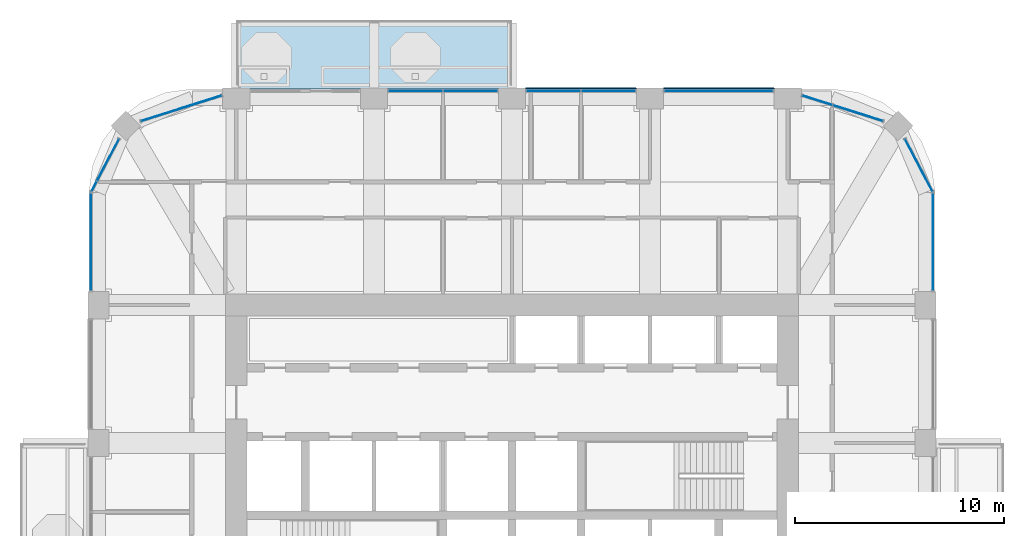
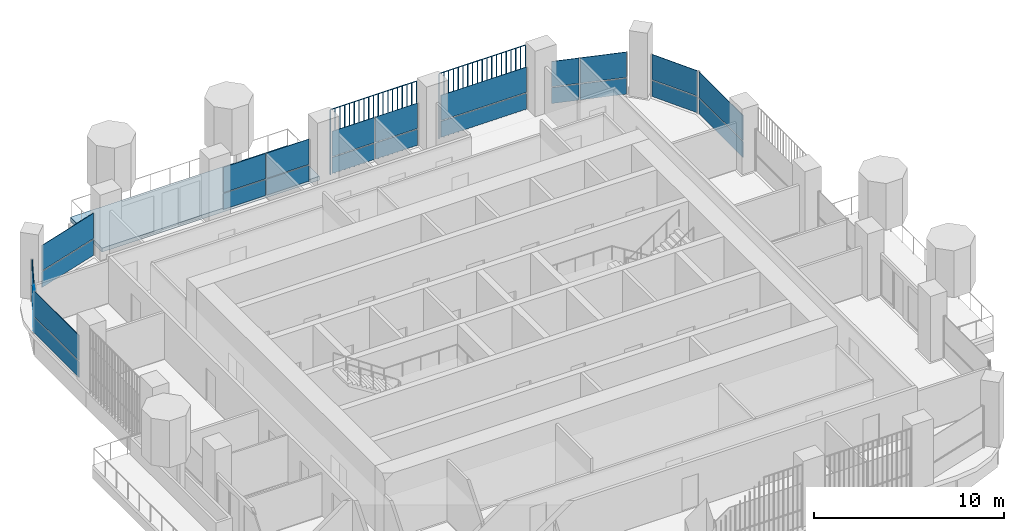
# One storey, part 11 of 20: 28 plates, 1 slab, 9 elements without a shape of their own.
"""IFC4 building model written with IfcOpenShell, lengths in metres."""

from ifc_helpers import new_model, si_unit, direction, frame, origin, origin_2d, place, context, subcontext, project, spatial, polyline, rectangle, outline, extrude, material, layer, layer_set, type_object, element, aggregate, save


model = new_model("IFC4")

# Units and contexts
model_context = context("Model", 3, precision=1e-05, world=origin(), true_north=direction((0.0, 1.0)))
body_context = subcontext(model_context, "Body", "Model", "MODEL_VIEW")
ifc_project = project(units=[si_unit("LENGTHUNIT", "METRE"), si_unit("AREAUNIT", "SQUARE_METRE"), si_unit("VOLUMEUNIT", "CUBIC_METRE"), si_unit("PLANEANGLEUNIT", "RADIAN"), si_unit("MASSUNIT", "GRAM", prefix="KILO")], contexts=[model_context])

# Site, building, storey
site_placement = place(None, origin())
site = spatial("IfcSite", under=ifc_project, at=site_placement, CompositionType="ELEMENT")
building_placement = place(site_placement, origin())
building = spatial("IfcBuilding", under=site, at=building_placement, Name="Cobogo Forest Laboratory Tower", CompositionType="ELEMENT")
storey_placement = place(building_placement, frame((0.0, 0.0, 246.0)))
storey = spatial("IfcBuildingStorey", under=building, at=storey_placement, Name="L56", CompositionType="ELEMENT", Elevation=246.0)

# Slab
ifc_material_1 = material(Name="Concrete HA-40 (C40/50)", Category="concrete")
ifc_layer_1 = layer(ifc_material_1, 0.25)
ifc_layer_set_1 = layer_set([ifc_layer_1], Name="Balcony slab 250")
slab_type = type_object("IfcSlabType", Name="Balcony slab 250", PredefinedType="FLOOR", material=ifc_layer_set_1)
slab_placement = place(storey_placement, frame((0.0, 0.0, -0.25)))
element("IfcSlab", 1, at=slab_placement, inside=storey, type_object=slab_type, Name="Balcony BAL-N1 L56", PredefinedType="FLOOR", context=body_context, shape_type="SweptSolid", body=[
    extrude(outline(polyline([(13.199951171875, 43.35009765625), (26.39990234375, 43.35009765625), (26.39990234375, 46.64990234375), (13.199951171875, 46.64990234375), (13.199951171875, 43.35009765625)])), origin(), (0.0, 0.0, 1.0), 0.25),
])

# Curtain wall, plates
ifc_material_2 = material(Name="Aluminium curtain wall", Category="aluminium")
curtain_wall_type = type_object("IfcCurtainWallType", Name="CW-2 unitised curtain wall, solar control glazing, laboratory floors zones C and D", PredefinedType="USERDEFINED", material=ifc_material_2)
curtain_wall_1_placement = place(storey_placement, origin())
curtain_wall_1 = element("IfcCurtainWall", 2, at=curtain_wall_1_placement, inside=storey, type_object=curtain_wall_type, Name="Curtain wall 11 L56", ObjectType="UNITISED CURTAIN WALL", PredefinedType="USERDEFINED")
ifc_material_3 = material(Name="Solar control insulated glass", Category="glass")
ifc_layer_2 = layer(ifc_material_3, 0.031982421875)
ifc_layer_set_2 = layer_set([ifc_layer_2], Name="GP-2 solar control glass unit 32")
plate_type_1 = type_object("IfcPlateType", Name="GP-2 solar control glass unit 32", PredefinedType="CURTAIN_PANEL", material=ifc_layer_set_2)
plate_1_placement = place(storey_placement, frame((46.550048828125, 36.02490234375, 0.0), z_axis=(0.0, 0.0, 1.0), x_axis=(0.0, 1.0, 0.0)))
plate_1 = element("IfcPlate", 3, at=plate_1_placement, type_object=plate_type_1, Name="CW-2 panel 1.1", PredefinedType="CURTAIN_PANEL", context=body_context, shape_type="SweptSolid", body=[
    extrude(rectangle(XDim=4.6298828125, YDim=0.031982421875, at=origin_2d()), origin(), (0.0, 0.0, 1.0), 1.02001953125),
])
plate_2_placement = place(storey_placement, frame((46.550048828125, 36.02490234375, 1.079833984375), z_axis=(0.0, 0.0, 1.0), x_axis=(0.0, 1.0, 0.0)))
plate_2 = element("IfcPlate", 4, at=plate_2_placement, type_object=plate_type_1, Name="CW-2 panel 1.2", PredefinedType="CURTAIN_PANEL", context=body_context, shape_type="SweptSolid", body=[
    extrude(rectangle(XDim=4.6298828125, YDim=0.031982421875, at=origin_2d()), origin(), (0.0, 0.0, 1.0), 1.6201171875),
])
aggregate(curtain_wall_1, [plate_1, plate_2])

curtain_wall_2_placement = place(storey_placement, origin())
curtain_wall_2 = element("IfcCurtainWall", 5, at=curtain_wall_2_placement, inside=storey, type_object=curtain_wall_type, Name="Curtain wall 12 L56", ObjectType="UNITISED CURTAIN WALL", PredefinedType="USERDEFINED")
plate_3_placement = place(storey_placement, frame((45.869140625, 39.69873046875, 0.0), z_axis=(0.0, 0.0, 1.0), x_axis=(-0.464283791352, 0.885686491422, 0.0)))
plate_3 = element("IfcPlate", 6, at=plate_3_placement, type_object=plate_type_1, Name="CW-2 panel 1.1", PredefinedType="CURTAIN_PANEL", context=body_context, shape_type="SweptSolid", body=[
    extrude(rectangle(XDim=2.812744140625, YDim=0.031982421875, at=origin_2d()), origin(), (0.0, 0.0, 1.0), 1.02001953125),
])
plate_4_placement = place(storey_placement, frame((45.869140625, 39.69873046875, 1.079833984375), z_axis=(0.0, 0.0, 1.0), x_axis=(-0.464283791352, 0.885686491422, 0.0)))
plate_4 = element("IfcPlate", 7, at=plate_4_placement, type_object=plate_type_1, Name="CW-2 panel 1.2", PredefinedType="CURTAIN_PANEL", context=body_context, shape_type="SweptSolid", body=[
    extrude(rectangle(XDim=2.812744140625, YDim=0.031982421875, at=origin_2d()), origin(), (0.0, 0.0, 1.0), 1.6201171875),
])
aggregate(curtain_wall_2, [plate_3, plate_4])

curtain_wall_3_placement = place(storey_placement, origin())
curtain_wall_3 = element("IfcCurtainWall", 8, at=curtain_wall_3_placement, inside=storey, type_object=curtain_wall_type, Name="Curtain wall 13 L56", ObjectType="UNITISED CURTAIN WALL", PredefinedType="USERDEFINED")
plate_5_placement = place(storey_placement, frame((42.962646484375, 42.18798828125, 0.0), z_axis=(0.0, 0.0, 1.0), x_axis=(-0.953581386052, 0.301135418334, 0.0)))
plate_5 = element("IfcPlate", 9, at=plate_5_placement, type_object=plate_type_1, Name="CW-2 panel 1.1", PredefinedType="CURTAIN_PANEL", context=body_context, shape_type="SweptSolid", body=[
    extrude(rectangle(XDim=2.4853515625, YDim=0.031982421875, at=origin_2d()), origin(), (0.0, 0.0, 1.0), 1.02001953125),
])
plate_6_placement = place(storey_placement, frame((42.962646484375, 42.18798828125, 1.079833984375), z_axis=(0.0, 0.0, 1.0), x_axis=(-0.953581386052, 0.301135418334, 0.0)))
plate_6 = element("IfcPlate", 10, at=plate_6_placement, type_object=plate_type_1, Name="CW-2 panel 1.2", PredefinedType="CURTAIN_PANEL", context=body_context, shape_type="SweptSolid", body=[
    extrude(rectangle(XDim=2.4853515625, YDim=0.031982421875, at=origin_2d()), origin(), (0.0, 0.0, 1.0), 1.6201171875),
])
plate_7_placement = place(storey_placement, frame((41.013916015625, 42.803466796875, 0.0), z_axis=(0.0, 0.0, 1.0), x_axis=(-0.953581386052, 0.301135418334, 0.0)))
plate_7 = element("IfcPlate", 11, at=plate_7_placement, type_object=plate_type_1, Name="CW-2 panel 2.1", PredefinedType="CURTAIN_PANEL", context=body_context, shape_type="SweptSolid", body=[
    extrude(rectangle(XDim=1.482177734375, YDim=0.031982421875, at=origin_2d()), origin(), (0.0, 0.0, 1.0), 1.02001953125),
])
plate_8_placement = place(storey_placement, frame((41.013916015625, 42.803466796875, 1.079833984375), z_axis=(0.0, 0.0, 1.0), x_axis=(-0.953581386052, 0.301135418334, 0.0)))
plate_8 = element("IfcPlate", 12, at=plate_8_placement, type_object=plate_type_1, Name="CW-2 panel 2.2", PredefinedType="CURTAIN_PANEL", context=body_context, shape_type="SweptSolid", body=[
    extrude(rectangle(XDim=1.482177734375, YDim=0.031982421875, at=origin_2d()), origin(), (0.0, 0.0, 1.0), 1.6201171875),
])
aggregate(curtain_wall_3, [plate_5, plate_6, plate_7, plate_8])

curtain_wall_4_placement = place(storey_placement, origin())
curtain_wall_4 = element("IfcCurtainWall", 13, at=curtain_wall_4_placement, inside=storey, type_object=curtain_wall_type, Name="Curtain wall 14 L56", ObjectType="UNITISED CURTAIN WALL", PredefinedType="USERDEFINED")
plate_9_placement = place(storey_placement, frame((36.300048828125, 43.25, 0.0), z_axis=(0.0, 0.0, 1.0), x_axis=(-1.0, 0.0, 0.0)))
plate_9 = element("IfcPlate", 14, at=plate_9_placement, type_object=plate_type_1, Name="CW-2 panel 1.1", PredefinedType="CURTAIN_PANEL", context=body_context, shape_type="SweptSolid", body=[
    extrude(rectangle(XDim=5.179931640625, YDim=0.031982421875, at=origin_2d()), origin(), (0.0, 0.0, 1.0), 1.02001953125),
])
plate_10_placement = place(storey_placement, frame((36.300048828125, 43.25, 1.079833984375), z_axis=(0.0, 0.0, 1.0), x_axis=(-1.0, 0.0, 0.0)))
plate_10 = element("IfcPlate", 15, at=plate_10_placement, type_object=plate_type_1, Name="CW-2 panel 1.2", PredefinedType="CURTAIN_PANEL", context=body_context, shape_type="SweptSolid", body=[
    extrude(rectangle(XDim=5.179931640625, YDim=0.031982421875, at=origin_2d()), origin(), (0.0, 0.0, 1.0), 1.6201171875),
])
aggregate(curtain_wall_4, [plate_9, plate_10])

curtain_wall_5_placement = place(storey_placement, origin())
curtain_wall_5 = element("IfcCurtainWall", 16, at=curtain_wall_5_placement, inside=storey, type_object=curtain_wall_type, Name="Curtain wall 15 L56", ObjectType="UNITISED CURTAIN WALL", PredefinedType="USERDEFINED")
plate_11_placement = place(storey_placement, frame((31.010009765625, 43.25, 0.0), z_axis=(0.0, 0.0, 1.0), x_axis=(-1.0, 0.0, 0.0)))
plate_11 = element("IfcPlate", 17, at=plate_11_placement, type_object=plate_type_1, Name="CW-2 panel 1.1", PredefinedType="CURTAIN_PANEL", context=body_context, shape_type="SweptSolid", body=[
    extrude(rectangle(XDim=2.56005859375, YDim=0.031982421875, at=origin_2d()), origin(), (0.0, 0.0, 1.0), 1.02001953125),
])
plate_12_placement = place(storey_placement, frame((31.010009765625, 43.25, 1.079833984375), z_axis=(0.0, 0.0, 1.0), x_axis=(-1.0, 0.0, 0.0)))
plate_12 = element("IfcPlate", 18, at=plate_12_placement, type_object=plate_type_1, Name="CW-2 panel 1.2", PredefinedType="CURTAIN_PANEL", context=body_context, shape_type="SweptSolid", body=[
    extrude(rectangle(XDim=2.56005859375, YDim=0.031982421875, at=origin_2d()), origin(), (0.0, 0.0, 1.0), 1.6201171875),
])
plate_13_placement = place(storey_placement, frame((28.389892578125, 43.25, 0.0), z_axis=(0.0, 0.0, 1.0), x_axis=(-1.0, 0.0, 0.0)))
plate_13 = element("IfcPlate", 19, at=plate_13_placement, type_object=plate_type_1, Name="CW-2 panel 2.1", PredefinedType="CURTAIN_PANEL", context=body_context, shape_type="SweptSolid", body=[
    extrude(rectangle(XDim=2.56005859375, YDim=0.031982421875, at=origin_2d()), origin(), (0.0, 0.0, 1.0), 1.02001953125),
])
plate_14_placement = place(storey_placement, frame((28.389892578125, 43.25, 1.079833984375), z_axis=(0.0, 0.0, 1.0), x_axis=(-1.0, 0.0, 0.0)))
plate_14 = element("IfcPlate", 20, at=plate_14_placement, type_object=plate_type_1, Name="CW-2 panel 2.2", PredefinedType="CURTAIN_PANEL", context=body_context, shape_type="SweptSolid", body=[
    extrude(rectangle(XDim=2.56005859375, YDim=0.031982421875, at=origin_2d()), origin(), (0.0, 0.0, 1.0), 1.6201171875),
])
aggregate(curtain_wall_5, [plate_11, plate_12, plate_13, plate_14])

curtain_wall_6_placement = place(storey_placement, origin())
curtain_wall_6 = element("IfcCurtainWall", 21, at=curtain_wall_6_placement, inside=storey, type_object=curtain_wall_type, Name="Curtain wall 16 L56", ObjectType="UNITISED CURTAIN WALL", PredefinedType="USERDEFINED")
plate_15_placement = place(storey_placement, frame((24.409912109375, 43.25, 0.0), z_axis=(0.0, 0.0, 1.0), x_axis=(-1.0, 0.0, 0.0)))
plate_15 = element("IfcPlate", 22, at=plate_15_placement, type_object=plate_type_1, Name="CW-2 panel 1.1", PredefinedType="CURTAIN_PANEL", context=body_context, shape_type="SweptSolid", body=[
    extrude(rectangle(XDim=2.56005859375, YDim=0.031982421875, at=origin_2d()), origin(), (0.0, 0.0, 1.0), 1.02001953125),
])
plate_16_placement = place(storey_placement, frame((24.409912109375, 43.25, 1.079833984375), z_axis=(0.0, 0.0, 1.0), x_axis=(-1.0, 0.0, 0.0)))
plate_16 = element("IfcPlate", 23, at=plate_16_placement, type_object=plate_type_1, Name="CW-2 panel 1.2", PredefinedType="CURTAIN_PANEL", context=body_context, shape_type="SweptSolid", body=[
    extrude(rectangle(XDim=2.56005859375, YDim=0.031982421875, at=origin_2d()), origin(), (0.0, 0.0, 1.0), 1.6201171875),
])
plate_17_placement = place(storey_placement, frame((21.7900390625, 43.25, 0.0), z_axis=(0.0, 0.0, 1.0), x_axis=(-1.0, 0.0, 0.0)))
plate_17 = element("IfcPlate", 24, at=plate_17_placement, type_object=plate_type_1, Name="CW-2 panel 2.1", PredefinedType="CURTAIN_PANEL", context=body_context, shape_type="SweptSolid", body=[
    extrude(rectangle(XDim=2.56005859375, YDim=0.031982421875, at=origin_2d()), origin(), (0.0, 0.0, 1.0), 1.02001953125),
])
plate_18_placement = place(storey_placement, frame((21.7900390625, 43.25, 1.079833984375), z_axis=(0.0, 0.0, 1.0), x_axis=(-1.0, 0.0, 0.0)))
plate_18 = element("IfcPlate", 25, at=plate_18_placement, type_object=plate_type_1, Name="CW-2 panel 2.2", PredefinedType="CURTAIN_PANEL", context=body_context, shape_type="SweptSolid", body=[
    extrude(rectangle(XDim=2.56005859375, YDim=0.031982421875, at=origin_2d()), origin(), (0.0, 0.0, 1.0), 1.6201171875),
])
aggregate(curtain_wall_6, [plate_15, plate_16, plate_17, plate_18])

curtain_wall_7_placement = place(storey_placement, origin())
curtain_wall_7 = element("IfcCurtainWall", 26, at=curtain_wall_7_placement, inside=storey, type_object=curtain_wall_type, Name="Curtain wall 18 L56", ObjectType="UNITISED CURTAIN WALL", PredefinedType="USERDEFINED")
plate_19_placement = place(storey_placement, frame((10.572509765625, 42.420166015625, 0.0), z_axis=(0.0, 0.0, 1.0), x_axis=(-0.953581386052, -0.301135418334, 0.0)))
plate_19 = element("IfcPlate", 27, at=plate_19_placement, type_object=plate_type_1, Name="CW-2 panel 1.1", PredefinedType="CURTAIN_PANEL", context=body_context, shape_type="SweptSolid", body=[
    extrude(rectangle(XDim=4.02734375, YDim=0.031982421875, at=origin_2d()), origin(), (0.0, 0.0, 1.0), 1.02001953125),
])
plate_20_placement = place(storey_placement, frame((10.572509765625, 42.420166015625, 1.079833984375), z_axis=(0.0, 0.0, 1.0), x_axis=(-0.953581386052, -0.301135418334, 0.0)))
plate_20 = element("IfcPlate", 28, at=plate_20_placement, type_object=plate_type_1, Name="CW-2 panel 1.2", PredefinedType="CURTAIN_PANEL", context=body_context, shape_type="SweptSolid", body=[
    extrude(rectangle(XDim=4.02734375, YDim=0.031982421875, at=origin_2d()), origin(), (0.0, 0.0, 1.0), 1.6201171875),
])
aggregate(curtain_wall_7, [plate_19, plate_20])

curtain_wall_8_placement = place(storey_placement, origin())
curtain_wall_8 = element("IfcCurtainWall", 29, at=curtain_wall_8_placement, inside=storey, type_object=curtain_wall_type, Name="Curtain wall 19 L56", ObjectType="UNITISED CURTAIN WALL", PredefinedType="USERDEFINED")
plate_21_placement = place(storey_placement, frame((7.064697265625, 39.9541015625, 0.0), z_axis=(0.0, 0.0, 1.0), x_axis=(-0.464283791352, -0.885686491422, 0.0)))
plate_21 = element("IfcPlate", 30, at=plate_21_placement, type_object=plate_type_1, Name="CW-2 panel 1.1", PredefinedType="CURTAIN_PANEL", context=body_context, shape_type="SweptSolid", body=[
    extrude(rectangle(XDim=2.236328125, YDim=0.031982421875, at=origin_2d()), origin(), (0.0, 0.0, 1.0), 1.02001953125),
])
plate_22_placement = place(storey_placement, frame((7.064697265625, 39.9541015625, 1.079833984375), z_axis=(0.0, 0.0, 1.0), x_axis=(-0.464283791352, -0.885686491422, 0.0)))
plate_22 = element("IfcPlate", 31, at=plate_22_placement, type_object=plate_type_1, Name="CW-2 panel 1.2", PredefinedType="CURTAIN_PANEL", context=body_context, shape_type="SweptSolid", body=[
    extrude(rectangle(XDim=2.236328125, YDim=0.031982421875, at=origin_2d()), origin(), (0.0, 0.0, 1.0), 1.6201171875),
])
plate_23_placement = place(storey_placement, frame((6.397705078125, 38.681884765625, 0.0), z_axis=(0.0, 0.0, 1.0), x_axis=(-0.464283791352, -0.885686491422, 0.0)))
plate_23 = element("IfcPlate", 32, at=plate_23_placement, type_object=plate_type_1, Name="CW-2 panel 2.1", PredefinedType="CURTAIN_PANEL", context=body_context, shape_type="SweptSolid", body=[
    extrude(rectangle(XDim=0.516357421875, YDim=0.031982421875, at=origin_2d()), origin(), (0.0, 0.0, 1.0), 1.02001953125),
])
plate_24_placement = place(storey_placement, frame((6.397705078125, 38.681884765625, 1.079833984375), z_axis=(0.0, 0.0, 1.0), x_axis=(-0.464283791352, -0.885686491422, 0.0)))
plate_24 = element("IfcPlate", 33, at=plate_24_placement, type_object=plate_type_1, Name="CW-2 panel 2.2", PredefinedType="CURTAIN_PANEL", context=body_context, shape_type="SweptSolid", body=[
    extrude(rectangle(XDim=0.516357421875, YDim=0.031982421875, at=origin_2d()), origin(), (0.0, 0.0, 1.0), 1.6201171875),
])
aggregate(curtain_wall_8, [plate_21, plate_22, plate_23, plate_24])

curtain_wall_9_placement = place(storey_placement, origin())
curtain_wall_9 = element("IfcCurtainWall", 34, at=curtain_wall_9_placement, inside=storey, type_object=curtain_wall_type, Name="Curtain wall 20 L56", ObjectType="UNITISED CURTAIN WALL", PredefinedType="USERDEFINED")
plate_25_placement = place(storey_placement, frame((6.25, 36.02490234375, 0.0), z_axis=(0.0, 0.0, 1.0), x_axis=(0.0, -1.0, 0.0)))
plate_25 = element("IfcPlate", 35, at=plate_25_placement, type_object=plate_type_1, Name="CW-2 panel 1.1", PredefinedType="CURTAIN_PANEL", context=body_context, shape_type="SweptSolid", body=[
    extrude(rectangle(XDim=4.6298828125, YDim=0.031982421875, at=origin_2d()), origin(), (0.0, 0.0, 1.0), 1.02001953125),
])
plate_26_placement = place(storey_placement, frame((6.25, 36.02490234375, 1.079833984375), z_axis=(0.0, 0.0, 1.0), x_axis=(0.0, -1.0, 0.0)))
plate_26 = element("IfcPlate", 36, at=plate_26_placement, type_object=plate_type_1, Name="CW-2 panel 1.2", PredefinedType="CURTAIN_PANEL", context=body_context, shape_type="SweptSolid", body=[
    extrude(rectangle(XDim=4.6298828125, YDim=0.031982421875, at=origin_2d()), origin(), (0.0, 0.0, 1.0), 1.6201171875),
])
aggregate(curtain_wall_9, [plate_25, plate_26])

# Plates
ifc_material_4 = material(Name="Terracotta", Category="masonry")
plate_type_2 = type_object("IfcPlateType", Name="TB1 terracotta baguette screen", PredefinedType="USERDEFINED", material=ifc_material_4)
plate_27_placement = place(storey_placement, frame((27.081298828125, 43.3779296875, -0.14990234375)))
element("IfcPlate", 37, at=plate_27_placement, inside=storey, type_object=plate_type_2, Name="Baguette screen N3 L56", ObjectType="BAGUETTE SCREEN", PredefinedType="USERDEFINED", context=body_context, shape_type="SweptSolid", body=[
    extrude(outline(polyline([(0.02880859375, 0.011962890625), (0.011962890625, 0.02880859375), (-0.011962890625, 0.02880859375), (-0.02880859375, 0.011962890625), (-0.02880859375, -0.011962890625), (-0.011962890625, -0.02880859375), (0.011962890625, -0.02880859375), (0.02880859375, -0.011962890625), (0.02880859375, 0.011962890625)])), frame((0.0, 0.0, 4.168701171875), z_axis=(1.0, 0.0, 0.0), x_axis=(0.0, 1.0, 0.0)), (0.0, 0.0, 1.0), 5.237548828125),
    extrude(outline(polyline([(0.02880859375, 0.011962890625), (0.011962890625, 0.02880859375), (-0.011962890625, 0.02880859375), (-0.02880859375, 0.011962890625), (-0.02880859375, -0.011962890625), (-0.011962890625, -0.02880859375), (0.011962890625, -0.02880859375), (0.02880859375, -0.011962890625), (0.02880859375, 0.011962890625)])), origin(), (0.0, 0.0, 1.0), 4.137451171875),
    extrude(outline(polyline([(0.02880859375, 0.011962890625), (0.011962890625, 0.02880859375), (-0.011962890625, 0.02880859375), (-0.02880859375, 0.011962890625), (-0.02880859375, -0.011962890625), (-0.011962890625, -0.02880859375), (0.011962890625, -0.02880859375), (0.02880859375, -0.011962890625), (0.02880859375, 0.011962890625)])), frame((0.291015625, 0.0, 0.0)), (0.0, 0.0, 1.0), 4.137451171875),
    extrude(outline(polyline([(0.02880859375, 0.011962890625), (0.011962890625, 0.02880859375), (-0.011962890625, 0.02880859375), (-0.02880859375, 0.011962890625), (-0.02880859375, -0.011962890625), (-0.011962890625, -0.02880859375), (0.011962890625, -0.02880859375), (0.02880859375, -0.011962890625), (0.02880859375, 0.011962890625)])), frame((0.58203125, 0.0, 0.0)), (0.0, 0.0, 1.0), 4.137451171875),
    extrude(outline(polyline([(0.02880859375, 0.011962890625), (0.011962890625, 0.02880859375), (-0.011962890625, 0.02880859375), (-0.02880859375, 0.011962890625), (-0.02880859375, -0.011962890625), (-0.011962890625, -0.02880859375), (0.011962890625, -0.02880859375), (0.02880859375, -0.011962890625), (0.02880859375, 0.011962890625)])), frame((0.873046875, 0.0, 0.0)), (0.0, 0.0, 1.0), 4.137451171875),
    extrude(outline(polyline([(0.02880859375, 0.011962890625), (0.011962890625, 0.02880859375), (-0.011962890625, 0.02880859375), (-0.02880859375, 0.011962890625), (-0.02880859375, -0.011962890625), (-0.011962890625, -0.02880859375), (0.011962890625, -0.02880859375), (0.02880859375, -0.011962890625), (0.02880859375, 0.011962890625)])), frame((1.163818359375, 0.0, 0.0)), (0.0, 0.0, 1.0), 4.137451171875),
    extrude(outline(polyline([(0.02880859375, 0.011962890625), (0.011962890625, 0.02880859375), (-0.011962890625, 0.02880859375), (-0.02880859375, 0.011962890625), (-0.02880859375, -0.011962890625), (-0.011962890625, -0.02880859375), (0.011962890625, -0.02880859375), (0.02880859375, -0.011962890625), (0.02880859375, 0.011962890625)])), frame((1.454833984375, 0.0, 0.0)), (0.0, 0.0, 1.0), 4.137451171875),
    extrude(outline(polyline([(0.02880859375, 0.011962890625), (0.011962890625, 0.02880859375), (-0.011962890625, 0.02880859375), (-0.02880859375, 0.011962890625), (-0.02880859375, -0.011962890625), (-0.011962890625, -0.02880859375), (0.011962890625, -0.02880859375), (0.02880859375, -0.011962890625), (0.02880859375, 0.011962890625)])), frame((1.745849609375, 0.0, 0.0)), (0.0, 0.0, 1.0), 4.137451171875),
    extrude(outline(polyline([(0.02880859375, 0.011962890625), (0.011962890625, 0.02880859375), (-0.011962890625, 0.02880859375), (-0.02880859375, 0.011962890625), (-0.02880859375, -0.011962890625), (-0.011962890625, -0.02880859375), (0.011962890625, -0.02880859375), (0.02880859375, -0.011962890625), (0.02880859375, 0.011962890625)])), frame((2.036865234375, 0.0, 0.0)), (0.0, 0.0, 1.0), 4.137451171875),
    extrude(outline(polyline([(0.02880859375, 0.011962890625), (0.011962890625, 0.02880859375), (-0.011962890625, 0.02880859375), (-0.02880859375, 0.011962890625), (-0.02880859375, -0.011962890625), (-0.011962890625, -0.02880859375), (0.011962890625, -0.02880859375), (0.02880859375, -0.011962890625), (0.02880859375, 0.011962890625)])), frame((2.327880859375, 0.0, 0.0)), (0.0, 0.0, 1.0), 4.137451171875),
    extrude(outline(polyline([(0.02880859375, 0.011962890625), (0.011962890625, 0.02880859375), (-0.011962890625, 0.02880859375), (-0.02880859375, 0.011962890625), (-0.02880859375, -0.011962890625), (-0.011962890625, -0.02880859375), (0.011962890625, -0.02880859375), (0.02880859375, -0.011962890625), (0.02880859375, 0.011962890625)])), frame((2.61865234375, 0.0, 0.0)), (0.0, 0.0, 1.0), 4.137451171875),
    extrude(outline(polyline([(0.02880859375, 0.011962890625), (0.011962890625, 0.02880859375), (-0.011962890625, 0.02880859375), (-0.02880859375, 0.011962890625), (-0.02880859375, -0.011962890625), (-0.011962890625, -0.02880859375), (0.011962890625, -0.02880859375), (0.02880859375, -0.011962890625), (0.02880859375, 0.011962890625)])), frame((2.90966796875, 0.0, 0.0)), (0.0, 0.0, 1.0), 4.137451171875),
    extrude(outline(polyline([(0.02880859375, 0.011962890625), (0.011962890625, 0.02880859375), (-0.011962890625, 0.02880859375), (-0.02880859375, 0.011962890625), (-0.02880859375, -0.011962890625), (-0.011962890625, -0.02880859375), (0.011962890625, -0.02880859375), (0.02880859375, -0.011962890625), (0.02880859375, 0.011962890625)])), frame((3.20068359375, 0.0, 0.0)), (0.0, 0.0, 1.0), 4.137451171875),
    extrude(outline(polyline([(0.02880859375, 0.011962890625), (0.011962890625, 0.02880859375), (-0.011962890625, 0.02880859375), (-0.02880859375, 0.011962890625), (-0.02880859375, -0.011962890625), (-0.011962890625, -0.02880859375), (0.011962890625, -0.02880859375), (0.02880859375, -0.011962890625), (0.02880859375, 0.011962890625)])), frame((3.49169921875, 0.0, 0.0)), (0.0, 0.0, 1.0), 4.137451171875),
    extrude(outline(polyline([(0.02880859375, 0.011962890625), (0.011962890625, 0.02880859375), (-0.011962890625, 0.02880859375), (-0.02880859375, 0.011962890625), (-0.02880859375, -0.011962890625), (-0.011962890625, -0.02880859375), (0.011962890625, -0.02880859375), (0.02880859375, -0.011962890625), (0.02880859375, 0.011962890625)])), frame((3.78271484375, 0.0, 0.0)), (0.0, 0.0, 1.0), 4.137451171875),
    extrude(outline(polyline([(0.02880859375, 0.011962890625), (0.011962890625, 0.02880859375), (-0.011962890625, 0.02880859375), (-0.02880859375, 0.011962890625), (-0.02880859375, -0.011962890625), (-0.011962890625, -0.02880859375), (0.011962890625, -0.02880859375), (0.02880859375, -0.011962890625), (0.02880859375, 0.011962890625)])), frame((4.07373046875, 0.0, 0.0)), (0.0, 0.0, 1.0), 4.137451171875),
    extrude(outline(polyline([(0.02880859375, 0.011962890625), (0.011962890625, 0.02880859375), (-0.011962890625, 0.02880859375), (-0.02880859375, 0.011962890625), (-0.02880859375, -0.011962890625), (-0.011962890625, -0.02880859375), (0.011962890625, -0.02880859375), (0.02880859375, -0.011962890625), (0.02880859375, 0.011962890625)])), frame((4.36474609375, 0.0, 0.0)), (0.0, 0.0, 1.0), 4.137451171875),
    extrude(outline(polyline([(0.02880859375, 0.011962890625), (0.011962890625, 0.02880859375), (-0.011962890625, 0.02880859375), (-0.02880859375, 0.011962890625), (-0.02880859375, -0.011962890625), (-0.011962890625, -0.02880859375), (0.011962890625, -0.02880859375), (0.02880859375, -0.011962890625), (0.02880859375, 0.011962890625)])), frame((4.655517578125, 0.0, 0.0)), (0.0, 0.0, 1.0), 4.137451171875),
    extrude(outline(polyline([(0.02880859375, 0.011962890625), (0.011962890625, 0.02880859375), (-0.011962890625, 0.02880859375), (-0.02880859375, 0.011962890625), (-0.02880859375, -0.011962890625), (-0.011962890625, -0.02880859375), (0.011962890625, -0.02880859375), (0.02880859375, -0.011962890625), (0.02880859375, 0.011962890625)])), frame((4.946533203125, 0.0, 0.0)), (0.0, 0.0, 1.0), 4.137451171875),
    extrude(outline(polyline([(0.02880859375, 0.011962890625), (0.011962890625, 0.02880859375), (-0.011962890625, 0.02880859375), (-0.02880859375, 0.011962890625), (-0.02880859375, -0.011962890625), (-0.011962890625, -0.02880859375), (0.011962890625, -0.02880859375), (0.02880859375, -0.011962890625), (0.02880859375, 0.011962890625)])), frame((5.237548828125, 0.0, 0.0)), (0.0, 0.0, 1.0), 4.137451171875),
])
plate_28_placement = place(storey_placement, frame((33.68115234375, 43.3779296875, -0.14990234375)))
element("IfcPlate", 38, at=plate_28_placement, inside=storey, type_object=plate_type_2, Name="Baguette screen N4 L56", ObjectType="BAGUETTE SCREEN", PredefinedType="USERDEFINED", context=body_context, shape_type="SweptSolid", body=[
    extrude(outline(polyline([(0.02880859375, 0.011962890625), (0.011962890625, 0.02880859375), (-0.011962890625, 0.02880859375), (-0.02880859375, 0.011962890625), (-0.02880859375, -0.011962890625), (-0.011962890625, -0.02880859375), (0.011962890625, -0.02880859375), (0.02880859375, -0.011962890625), (0.02880859375, 0.011962890625)])), frame((0.0, 0.0, 4.168701171875), z_axis=(1.0, 0.0, 0.0), x_axis=(0.0, 1.0, 0.0)), (0.0, 0.0, 1.0), 5.237548828125),
    extrude(outline(polyline([(0.02880859375, 0.011962890625), (0.011962890625, 0.02880859375), (-0.011962890625, 0.02880859375), (-0.02880859375, 0.011962890625), (-0.02880859375, -0.011962890625), (-0.011962890625, -0.02880859375), (0.011962890625, -0.02880859375), (0.02880859375, -0.011962890625), (0.02880859375, 0.011962890625)])), origin(), (0.0, 0.0, 1.0), 4.137451171875),
    extrude(outline(polyline([(0.02880859375, 0.011962890625), (0.011962890625, 0.02880859375), (-0.011962890625, 0.02880859375), (-0.02880859375, 0.011962890625), (-0.02880859375, -0.011962890625), (-0.011962890625, -0.02880859375), (0.011962890625, -0.02880859375), (0.02880859375, -0.011962890625), (0.02880859375, 0.011962890625)])), frame((0.291015625, 0.0, 0.0)), (0.0, 0.0, 1.0), 4.137451171875),
    extrude(outline(polyline([(0.02880859375, 0.011962890625), (0.011962890625, 0.02880859375), (-0.011962890625, 0.02880859375), (-0.02880859375, 0.011962890625), (-0.02880859375, -0.011962890625), (-0.011962890625, -0.02880859375), (0.011962890625, -0.02880859375), (0.02880859375, -0.011962890625), (0.02880859375, 0.011962890625)])), frame((0.58203125, 0.0, 0.0)), (0.0, 0.0, 1.0), 4.137451171875),
    extrude(outline(polyline([(0.02880859375, 0.011962890625), (0.011962890625, 0.02880859375), (-0.011962890625, 0.02880859375), (-0.02880859375, 0.011962890625), (-0.02880859375, -0.011962890625), (-0.011962890625, -0.02880859375), (0.011962890625, -0.02880859375), (0.02880859375, -0.011962890625), (0.02880859375, 0.011962890625)])), frame((0.873046875, 0.0, 0.0)), (0.0, 0.0, 1.0), 4.137451171875),
    extrude(outline(polyline([(0.02880859375, 0.011962890625), (0.011962890625, 0.02880859375), (-0.011962890625, 0.02880859375), (-0.02880859375, 0.011962890625), (-0.02880859375, -0.011962890625), (-0.011962890625, -0.02880859375), (0.011962890625, -0.02880859375), (0.02880859375, -0.011962890625), (0.02880859375, 0.011962890625)])), frame((1.163818359375, 0.0, 0.0)), (0.0, 0.0, 1.0), 4.137451171875),
    extrude(outline(polyline([(0.02880859375, 0.011962890625), (0.011962890625, 0.02880859375), (-0.011962890625, 0.02880859375), (-0.02880859375, 0.011962890625), (-0.02880859375, -0.011962890625), (-0.011962890625, -0.02880859375), (0.011962890625, -0.02880859375), (0.02880859375, -0.011962890625), (0.02880859375, 0.011962890625)])), frame((1.454833984375, 0.0, 0.0)), (0.0, 0.0, 1.0), 4.137451171875),
    extrude(outline(polyline([(0.02880859375, 0.011962890625), (0.011962890625, 0.02880859375), (-0.011962890625, 0.02880859375), (-0.02880859375, 0.011962890625), (-0.02880859375, -0.011962890625), (-0.011962890625, -0.02880859375), (0.011962890625, -0.02880859375), (0.02880859375, -0.011962890625), (0.02880859375, 0.011962890625)])), frame((1.745849609375, 0.0, 0.0)), (0.0, 0.0, 1.0), 4.137451171875),
    extrude(outline(polyline([(0.02880859375, 0.011962890625), (0.011962890625, 0.02880859375), (-0.011962890625, 0.02880859375), (-0.02880859375, 0.011962890625), (-0.02880859375, -0.011962890625), (-0.011962890625, -0.02880859375), (0.011962890625, -0.02880859375), (0.02880859375, -0.011962890625), (0.02880859375, 0.011962890625)])), frame((2.036865234375, 0.0, 0.0)), (0.0, 0.0, 1.0), 4.137451171875),
    extrude(outline(polyline([(0.02880859375, 0.011962890625), (0.011962890625, 0.02880859375), (-0.011962890625, 0.02880859375), (-0.02880859375, 0.011962890625), (-0.02880859375, -0.011962890625), (-0.011962890625, -0.02880859375), (0.011962890625, -0.02880859375), (0.02880859375, -0.011962890625), (0.02880859375, 0.011962890625)])), frame((2.327880859375, 0.0, 0.0)), (0.0, 0.0, 1.0), 4.137451171875),
    extrude(outline(polyline([(0.02880859375, 0.011962890625), (0.011962890625, 0.02880859375), (-0.011962890625, 0.02880859375), (-0.02880859375, 0.011962890625), (-0.02880859375, -0.011962890625), (-0.011962890625, -0.02880859375), (0.011962890625, -0.02880859375), (0.02880859375, -0.011962890625), (0.02880859375, 0.011962890625)])), frame((2.61865234375, 0.0, 0.0)), (0.0, 0.0, 1.0), 4.137451171875),
    extrude(outline(polyline([(0.02880859375, 0.011962890625), (0.011962890625, 0.02880859375), (-0.011962890625, 0.02880859375), (-0.02880859375, 0.011962890625), (-0.02880859375, -0.011962890625), (-0.011962890625, -0.02880859375), (0.011962890625, -0.02880859375), (0.02880859375, -0.011962890625), (0.02880859375, 0.011962890625)])), frame((2.90966796875, 0.0, 0.0)), (0.0, 0.0, 1.0), 4.137451171875),
    extrude(outline(polyline([(0.02880859375, 0.011962890625), (0.011962890625, 0.02880859375), (-0.011962890625, 0.02880859375), (-0.02880859375, 0.011962890625), (-0.02880859375, -0.011962890625), (-0.011962890625, -0.02880859375), (0.011962890625, -0.02880859375), (0.02880859375, -0.011962890625), (0.02880859375, 0.011962890625)])), frame((3.20068359375, 0.0, 0.0)), (0.0, 0.0, 1.0), 4.137451171875),
    extrude(outline(polyline([(0.02880859375, 0.011962890625), (0.011962890625, 0.02880859375), (-0.011962890625, 0.02880859375), (-0.02880859375, 0.011962890625), (-0.02880859375, -0.011962890625), (-0.011962890625, -0.02880859375), (0.011962890625, -0.02880859375), (0.02880859375, -0.011962890625), (0.02880859375, 0.011962890625)])), frame((3.49169921875, 0.0, 0.0)), (0.0, 0.0, 1.0), 4.137451171875),
    extrude(outline(polyline([(0.02880859375, 0.011962890625), (0.011962890625, 0.02880859375), (-0.011962890625, 0.02880859375), (-0.02880859375, 0.011962890625), (-0.02880859375, -0.011962890625), (-0.011962890625, -0.02880859375), (0.011962890625, -0.02880859375), (0.02880859375, -0.011962890625), (0.02880859375, 0.011962890625)])), frame((3.78271484375, 0.0, 0.0)), (0.0, 0.0, 1.0), 4.137451171875),
    extrude(outline(polyline([(0.02880859375, 0.011962890625), (0.011962890625, 0.02880859375), (-0.011962890625, 0.02880859375), (-0.02880859375, 0.011962890625), (-0.02880859375, -0.011962890625), (-0.011962890625, -0.02880859375), (0.011962890625, -0.02880859375), (0.02880859375, -0.011962890625), (0.02880859375, 0.011962890625)])), frame((4.07373046875, 0.0, 0.0)), (0.0, 0.0, 1.0), 4.137451171875),
    extrude(outline(polyline([(0.02880859375, 0.011962890625), (0.011962890625, 0.02880859375), (-0.011962890625, 0.02880859375), (-0.02880859375, 0.011962890625), (-0.02880859375, -0.011962890625), (-0.011962890625, -0.02880859375), (0.011962890625, -0.02880859375), (0.02880859375, -0.011962890625), (0.02880859375, 0.011962890625)])), frame((4.36474609375, 0.0, 0.0)), (0.0, 0.0, 1.0), 4.137451171875),
    extrude(outline(polyline([(0.02880859375, 0.011962890625), (0.011962890625, 0.02880859375), (-0.011962890625, 0.02880859375), (-0.02880859375, 0.011962890625), (-0.02880859375, -0.011962890625), (-0.011962890625, -0.02880859375), (0.011962890625, -0.02880859375), (0.02880859375, -0.011962890625), (0.02880859375, 0.011962890625)])), frame((4.655517578125, 0.0, 0.0)), (0.0, 0.0, 1.0), 4.137451171875),
    extrude(outline(polyline([(0.02880859375, 0.011962890625), (0.011962890625, 0.02880859375), (-0.011962890625, 0.02880859375), (-0.02880859375, 0.011962890625), (-0.02880859375, -0.011962890625), (-0.011962890625, -0.02880859375), (0.011962890625, -0.02880859375), (0.02880859375, -0.011962890625), (0.02880859375, 0.011962890625)])), frame((4.946533203125, 0.0, 0.0)), (0.0, 0.0, 1.0), 4.137451171875),
    extrude(outline(polyline([(0.02880859375, 0.011962890625), (0.011962890625, 0.02880859375), (-0.011962890625, 0.02880859375), (-0.02880859375, 0.011962890625), (-0.02880859375, -0.011962890625), (-0.011962890625, -0.02880859375), (0.011962890625, -0.02880859375), (0.02880859375, -0.011962890625), (0.02880859375, 0.011962890625)])), frame((5.237548828125, 0.0, 0.0)), (0.0, 0.0, 1.0), 4.137451171875),
])

save(model, "model.ifc")
